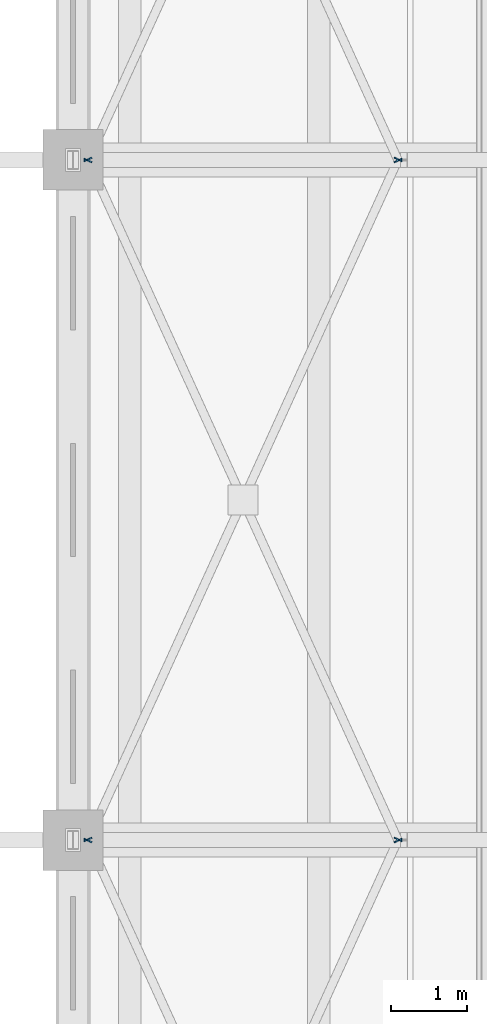
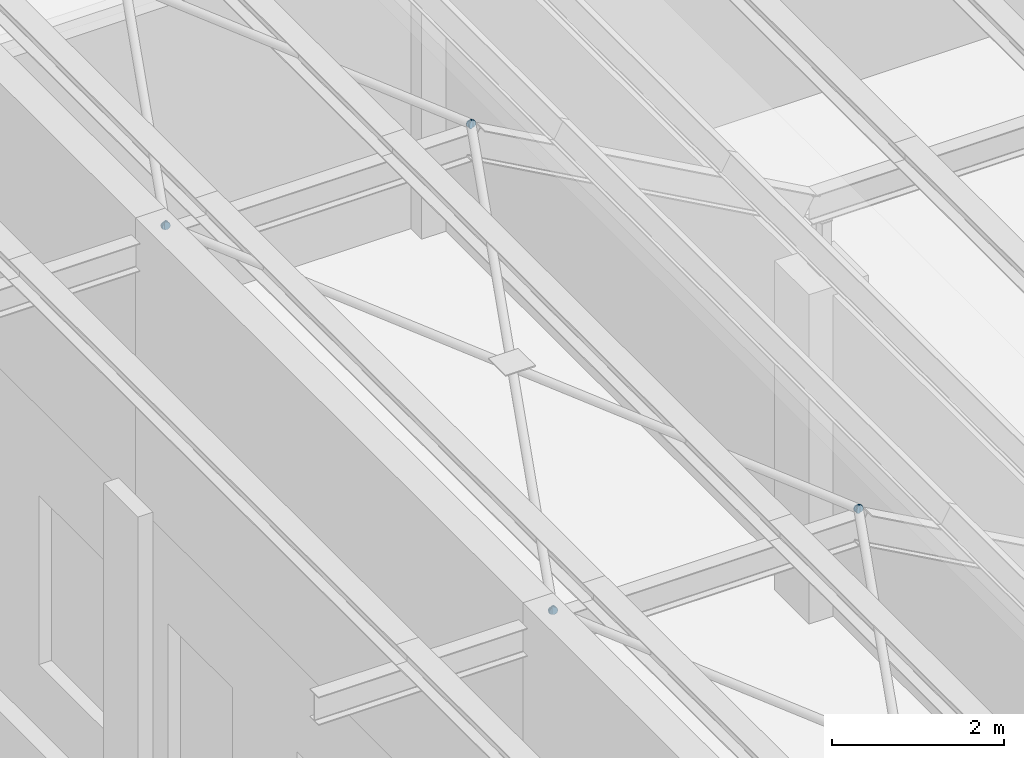
# One storey, part 254 of 437: 8 plates.
"""IFC4 building model written with IfcOpenShell, lengths in metres."""

from ifc_helpers import new_model, si_unit, direction, frame, origin, place, context, subcontext, project, spatial, polyline, outline, extrude, material, layer, layer_set, type_object, element, save


model = new_model("IFC4")

# Units and contexts
model_context = context("Model", 3, precision=1e-05, world=origin(), true_north=direction((0.0, 1.0)))
body_context = subcontext(model_context, "Body", "Model", "MODEL_VIEW")
ifc_project = project(units=[si_unit("LENGTHUNIT", "METRE"), si_unit("AREAUNIT", "SQUARE_METRE"), si_unit("VOLUMEUNIT", "CUBIC_METRE"), si_unit("PLANEANGLEUNIT", "RADIAN"), si_unit("MASSUNIT", "GRAM", prefix="KILO")], contexts=[model_context])

# Site, building, storey
site_placement = place(None, origin())
site = spatial("IfcSite", under=ifc_project, at=site_placement, CompositionType="ELEMENT")
building_placement = place(site_placement, origin())
building = spatial("IfcBuilding", under=site, at=building_placement, Name="Opaline Strait Convention Centre", CompositionType="ELEMENT")
storey_placement = place(building_placement, frame((0.0, 0.0, 11.5)))
storey = spatial("IfcBuildingStorey", under=building, at=storey_placement, Name="L02", CompositionType="ELEMENT", Elevation=11.5)

# Plates
ifc_material = material(Name="Steel Q355B", Category="steel")
ifc_layer = layer(ifc_material, 0.014892578125)
ifc_layer_set = layer_set([ifc_layer], Name="Steel Q355B")
plate_type = type_object("IfcPlateType", Name="Brace end plate 15 Q355B", PredefinedType="SHEET", material=ifc_layer_set)
plate_1_placement = place(storey_placement, frame((13.358154296875, 62.989990234375, 8.35693359375), z_axis=(0.414546759903, 0.910028012675, 0.0), x_axis=(-0.175211684293, 0.079814505718, -0.981290227387)))
element("IfcPlate", 1, at=plate_1_placement, inside=storey, type_object=plate_type, Name="Brace end plate 6-9-1 B", PredefinedType="SHEET", context=body_context, shape_type="SweptSolid", body=[
    extrude(outline(polyline([(0.0, 0.0), (0.022142802423366807, -8.673617379884035e-19), (0.042727250513924286, 0.008542007924152075), (0.05828100582850139, 0.024413026651226875), (0.06682195282960912, 0.04511902450470354), (0.06669550240146707, 0.06729920113890982), (0.05827249081068095, 0.08777145225734975), (0.042441871869317464, 0.10345829089687414), (0.021960200179139418, 0.11192457784020315), (-0.000441661016957879, 0.11187226917352971), (-0.02078653629809482, 0.10328325578414493), (-0.0365603784587825, 0.08755855665420899), (-0.04505854916977963, 0.06707057676838037), (-0.04497487503174818, 0.044672382166526046), (-0.036331776594851484, 0.024053811450947264), (-0.020740730462908537, 0.008413978276655572), (0.0, 0.0)])), origin(), (0.0, 0.0, -1.0), 0.014892578125),
])
plate_2_placement = place(storey_placement, frame((9.24560546875, 63.037353515625, 8.35693359375), z_axis=(-0.414546759903, 0.910028012675, 0.0), x_axis=(-0.179211623196, -0.081636605355, -0.980417594078)))
element("IfcPlate", 2, at=plate_2_placement, inside=storey, type_object=plate_type, Name="Brace end plate 6-9-3 B", PredefinedType="SHEET", context=body_context, shape_type="SweptSolid", body=[
    extrude(outline(polyline([(0.0, 0.0), (0.022162510909890694, 8.673617379884035e-19), (0.042785030570389286, 0.008449679604664397), (0.058389819747743, 0.024151614034705997), (0.0669797153948215, 0.04460130640421782), (0.06699641236914419, 0.0669996510750849), (0.058685155940435, 0.08760866746105381), (0.04292499144569943, 0.10336628840039641), (0.022461533519843202, 0.11182504651710427), (7.95936576276253e-05, 0.11197235089320826), (-0.02030356623869179, 0.1034745927271315), (-0.03616764599207897, 0.08772151104381062), (-0.044801294476851855, 0.06705399458378838), (-0.04477423861348016, 0.04487347400343172), (-0.03620369160873751, 0.024315604870742094), (-0.02068288687818111, 0.008606062492811843), (0.0, 0.0)])), origin(), (0.0, 0.0, -1.0), 0.014892578125),
])
plate_3_placement = place(storey_placement, frame((9.251953125, 62.976318359375, 8.35693359375), z_axis=(0.41375908061, 0.910386414229, 0.0), x_axis=(-0.188026382977, 0.085455606691, -0.978439276905)))
element("IfcPlate", 3, at=plate_3_placement, inside=storey, type_object=plate_type, Name="Brace end plate 7-9-1 A", PredefinedType="SHEET", context=body_context, shape_type="SweptSolid", body=[
    extrude(outline(polyline([(0.0, 0.0), (0.02220732153531475, 0.0), (0.042911707863981734, 0.00824702728410063), (0.05862383718407851, 0.02357778397414023), (0.06745975706591488, 0.04415970001291812), (0.0676502081119258, 0.06633939224732127), (0.059520564651876925, 0.08692997013084658), (0.04391568093916447, 0.102841370967483), (0.023557031363154568, 0.11159928561350353), (0.0011567379299084087, 0.11186717929579817), (-0.01930877162217055, 0.1035697285014835), (-0.03530568259751196, 0.08807192514957736), (-0.044095697600691715, 0.06770747928288005), (-0.044332053525359266, 0.04531031687639631), (-0.035917628410065745, 0.024886785654737544), (-0.020551621473941312, 0.009025808328315173), (0.0, 0.0)])), origin(), (0.0, 0.0, -1.0), 0.014892578125),
])
plate_4_placement = place(storey_placement, frame((13.358154296875, 71.989990234375, 8.35693359375), z_axis=(0.414546759903, 0.910028012675, 0.0), x_axis=(-0.175211684293, 0.079814505718, -0.981290227387)))
element("IfcPlate", 4, at=plate_4_placement, inside=storey, type_object=plate_type, Name="Brace end plate 7-9-1 B", PredefinedType="SHEET", context=body_context, shape_type="SweptSolid", body=[
    extrude(outline(polyline([(0.0, 0.0), (0.022142802423366807, -8.673617379884035e-19), (0.042727250513924286, 0.008542007924152075), (0.05828100582850139, 0.024413026651226875), (0.06682195282960912, 0.04511902450470354), (0.06669550240146707, 0.06729920113890982), (0.05827249081068095, 0.08777145225734975), (0.042441871869317464, 0.10345829089687414), (0.021960200179139418, 0.11192457784020315), (-0.000441661016957879, 0.11187226917352971), (-0.02078653629809482, 0.10328325578414493), (-0.0365603784587825, 0.08755855665420899), (-0.04505854916977963, 0.06707057676838037), (-0.04497487503174818, 0.044672382166526046), (-0.036331776594851484, 0.024053811450947264), (-0.020740730462908537, 0.008413978276655572), (0.0, 0.0)])), origin(), (0.0, 0.0, -1.0), 0.014892578125),
])
plate_5_placement = place(storey_placement, frame((13.351806640625, 63.023681640625, 8.35693359375), z_axis=(-0.41375908061, 0.910386414229, 0.0), x_axis=(-0.179276737257, -0.081479003666, -0.980418800024)))
element("IfcPlate", 5, at=plate_5_placement, inside=storey, type_object=plate_type, Name="Brace end plate 7-9-2 A", PredefinedType="SHEET", context=body_context, shape_type="SweptSolid", body=[
    extrude(outline(polyline([(0.0, 0.0), (0.022162483649305856, 8.673617379884035e-19), (0.04278494893070467, 0.008449792777866992), (0.05838965693499103, 0.0241518973650234), (0.06697942188954967, 0.044601615143985696), (0.06699599346920582, 0.06700001851048218), (0.05862092687885372, 0.08729192251350287), (0.04286066325311855, 0.10304943382457994), (0.022460825206383577, 0.11182506698919197), (1.5212763796283724e-05, 0.11165523393934706), (-0.020367892459002966, 0.10315736406586684), (-0.03616819178720702, 0.08772124671978179), (-0.04480172547644752, 0.06705361879536137), (-0.0447745283214218, 0.044873125574323006), (-0.03620387040715202, 0.02431523433023096), (-0.020682966840016408, 0.008605800114767123), (0.0, 0.0)])), origin(), (0.0, 0.0, -1.0), 0.014892578125),
])
plate_6_placement = place(storey_placement, frame((9.24560546875, 72.037353515625, 8.35693359375), z_axis=(-0.414546759903, 0.910028012675, 0.0), x_axis=(-0.179211623196, -0.081636605355, -0.980417594078)))
element("IfcPlate", 6, at=plate_6_placement, inside=storey, type_object=plate_type, Name="Brace end plate 7-9-3 B", PredefinedType="SHEET", context=body_context, shape_type="SweptSolid", body=[
    extrude(outline(polyline([(0.0, 0.0), (0.022162510909890694, 8.673617379884035e-19), (0.042785030570389286, 0.008449679604664397), (0.058389819747743, 0.024151614034705997), (0.0669797153948215, 0.04460130640421782), (0.06699641236914419, 0.0669996510750849), (0.058685155940435, 0.08760866746105381), (0.04292499144569943, 0.10336628840039641), (0.022461533519843202, 0.11182504651710427), (7.95936576276253e-05, 0.11197235089320826), (-0.02030356623869179, 0.1034745927271315), (-0.03616764599207897, 0.08772151104381062), (-0.044801294476851855, 0.06705399458378838), (-0.04477423861348016, 0.04487347400343172), (-0.03620369160873751, 0.024315604870742094), (-0.02068288687818111, 0.008606062492811843), (0.0, 0.0)])), origin(), (0.0, 0.0, -1.0), 0.014892578125),
])
plate_7_placement = place(storey_placement, frame((9.251953125, 71.976318359375, 8.35693359375), z_axis=(0.41375908061, 0.910386414229, 0.0), x_axis=(-0.188026382977, 0.085455606691, -0.978439276905)))
element("IfcPlate", 7, at=plate_7_placement, inside=storey, type_object=plate_type, Name="Brace end plate 8-9-1 A", PredefinedType="SHEET", context=body_context, shape_type="SweptSolid", body=[
    extrude(outline(polyline([(0.0, 0.0), (0.02220732153531475, 0.0), (0.042911707863981734, 0.00824702728410063), (0.05862383718407851, 0.02357778397414023), (0.06745975706591488, 0.04415970001291812), (0.0676502081119258, 0.06633939224732127), (0.059520564651876925, 0.08692997013084658), (0.04391568093916447, 0.102841370967483), (0.023557031363154568, 0.11159928561350353), (0.0011567379299084087, 0.11186717929579817), (-0.01930877162217055, 0.1035697285014835), (-0.03530568259751196, 0.08807192514957736), (-0.044095697600691715, 0.06770747928288005), (-0.044332053525359266, 0.04531031687639631), (-0.035917628410065745, 0.024886785654737544), (-0.020551621473941312, 0.009025808328315173), (0.0, 0.0)])), origin(), (0.0, 0.0, -1.0), 0.014892578125),
])
plate_8_placement = place(storey_placement, frame((13.351806640625, 72.023681640625, 8.35693359375), z_axis=(-0.41375908061, 0.910386414229, 0.0), x_axis=(-0.179276737257, -0.081479003666, -0.980418800024)))
element("IfcPlate", 8, at=plate_8_placement, inside=storey, type_object=plate_type, Name="Brace end plate 8-9-2 A", PredefinedType="SHEET", context=body_context, shape_type="SweptSolid", body=[
    extrude(outline(polyline([(0.0, 0.0), (0.022162483649305856, 8.673617379884035e-19), (0.04278494893070467, 0.008449792777866992), (0.05838965693499103, 0.0241518973650234), (0.06697942188954967, 0.044601615143985696), (0.06699599346920582, 0.06700001851048218), (0.05862092687885372, 0.08729192251350287), (0.04286066325311855, 0.10304943382457994), (0.022460825206383577, 0.11182506698919197), (1.5212763796283724e-05, 0.11165523393934706), (-0.020367892459002966, 0.10315736406586684), (-0.03616819178720702, 0.08772124671978179), (-0.04480172547644752, 0.06705361879536137), (-0.0447745283214218, 0.044873125574323006), (-0.03620387040715202, 0.02431523433023096), (-0.020682966840016408, 0.008605800114767123), (0.0, 0.0)])), origin(), (0.0, 0.0, -1.0), 0.014892578125),
])

save(model, "model.ifc")
